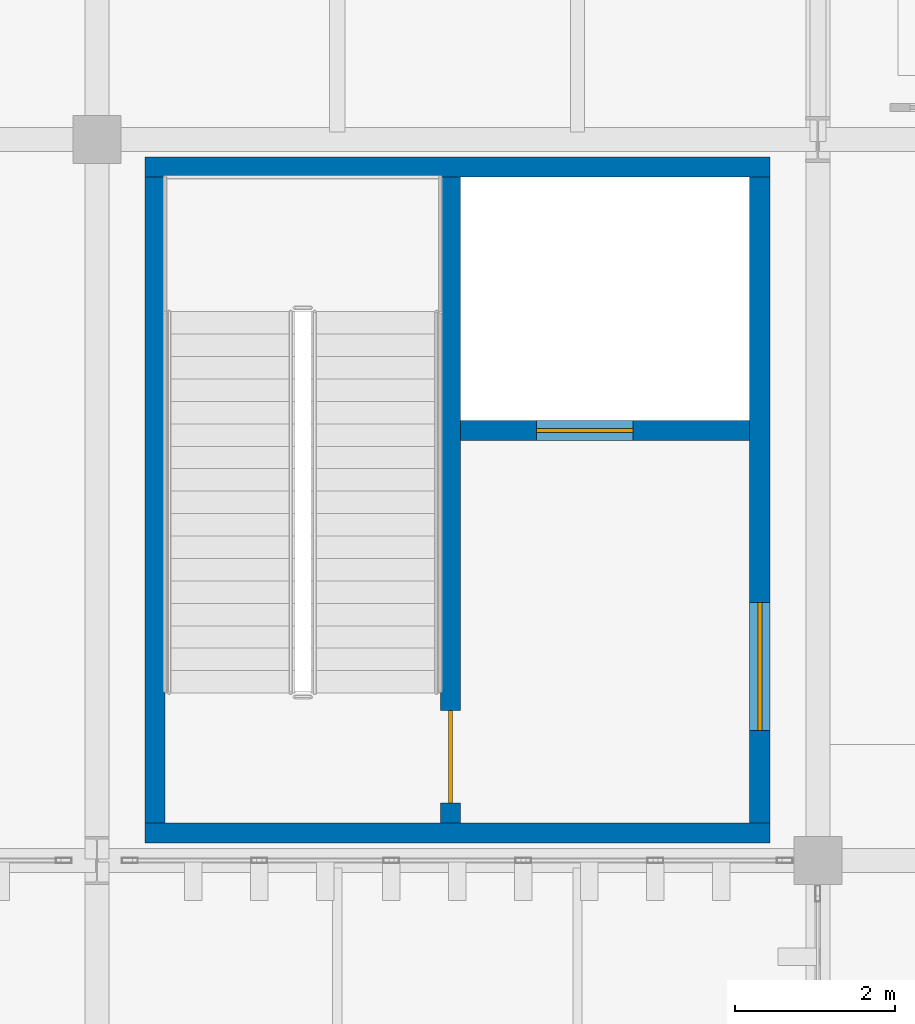
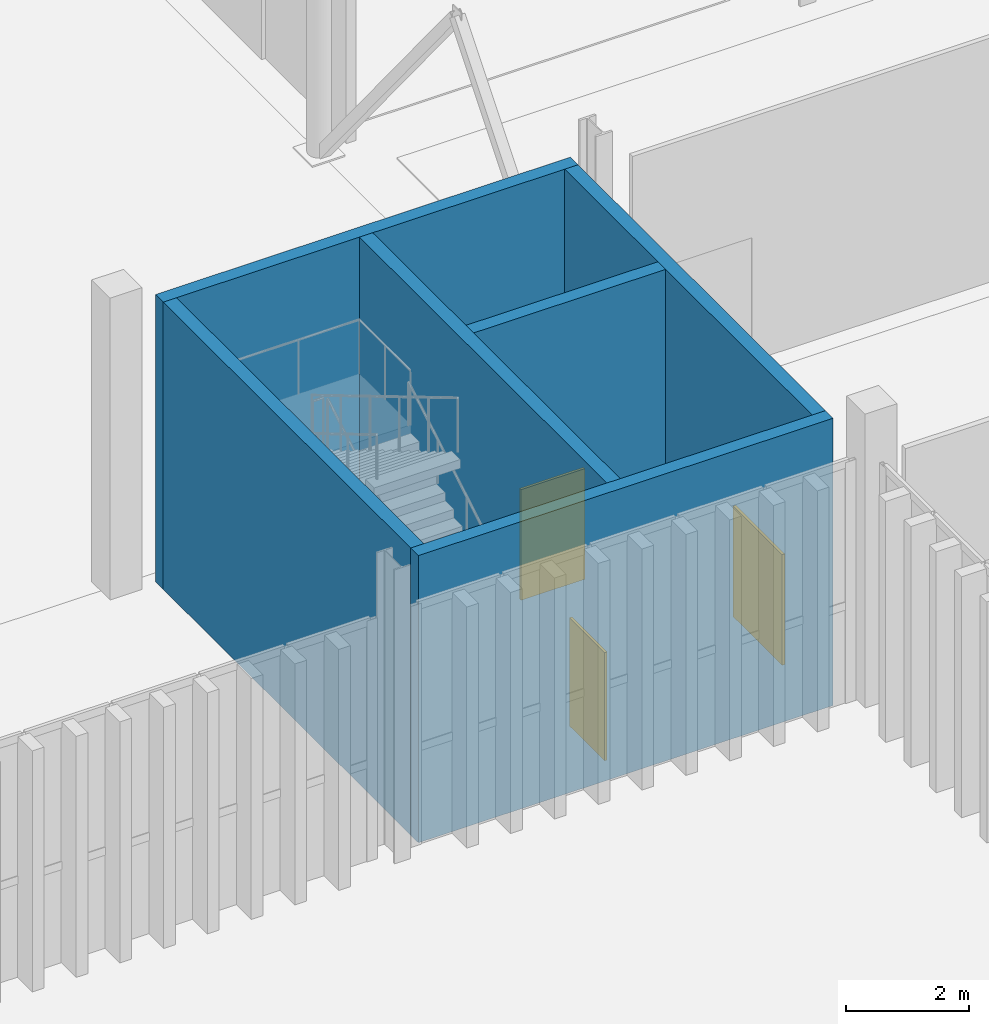
# One storey, part 177 of 211: 6 walls, 3 doors, 3 openings.
"""IFC4 building model written with IfcOpenShell, lengths in metres."""

from ifc_helpers import new_model, si_unit, direction, frame, frame_2d, origin, place, context, subcontext, project, spatial, rectangle, extrude, material, layer, layer_set, type_object, element, fill, save


model = new_model("IFC4")

# Units and contexts
model_context = context("Model", 3, precision=1e-05, world=origin(), true_north=direction((0.0, 1.0)))
body_context = subcontext(model_context, "Body", "Model", "MODEL_VIEW")
ifc_project = project(units=[si_unit("LENGTHUNIT", "METRE"), si_unit("AREAUNIT", "SQUARE_METRE"), si_unit("VOLUMEUNIT", "CUBIC_METRE"), si_unit("PLANEANGLEUNIT", "RADIAN"), si_unit("MASSUNIT", "GRAM", prefix="KILO")], contexts=[model_context])

# Site, building, storey
site_placement = place(None, origin())
site = spatial("IfcSite", under=ifc_project, at=site_placement, CompositionType="ELEMENT")
building_placement = place(site_placement, origin())
building = spatial("IfcBuilding", under=site, at=building_placement, Name="Barlavento Convention Centre", CompositionType="ELEMENT")
storey_placement = place(building_placement, frame((0.0, 0.0, 6.0)))
storey = spatial("IfcBuildingStorey", under=building, at=storey_placement, Name="L01", CompositionType="ELEMENT", Elevation=6.0)

# Wall
ifc_material_1 = material(Name="Concrete C50/60", Category="concrete")
ifc_layer = layer(ifc_material_1, 0.25)
ifc_layer_set = layer_set([ifc_layer], Name="STR-WL-CORE-250")
wall_type = type_object("IfcWallType", Name="STR-WL-CORE-250", PredefinedType="SHEAR", material=ifc_layer_set)
wall_1_placement = place(storey_placement, frame((117.72509765625, 45.469970703125, 0.0), z_axis=(0.0, 0.0, 1.0), x_axis=(0.0, 1.0, 0.0)))
element("IfcWall", 1, at=wall_1_placement, inside=storey, type_object=wall_type, Name="L01 interior wall CW-02", PredefinedType="SHEAR", context=body_context, shape_type="SweptSolid", body=[
    extrude(rectangle(XDim=8.06005859375, YDim=0.25, at=frame_2d((4.030029296875, 0.0))), origin(), (0.0, 0.0, 1.0), 5.7099609375),
])

# Wall, opening, door
wall_2_placement = place(storey_placement, frame((125.27490234375, 45.469970703125, 0.0), z_axis=(0.0, 0.0, 1.0), x_axis=(0.0, 1.0, 0.0)))
wall_2 = element("IfcWall", 2, at=wall_2_placement, inside=storey, type_object=wall_type, Name="L01 interior wall CW-02", PredefinedType="SHEAR", context=body_context, shape_type="SweptSolid", body=[
    extrude(rectangle(XDim=8.06005859375, YDim=0.25, at=frame_2d((4.030029296875, 0.0))), origin(), (0.0, 0.0, 1.0), 5.7099609375),
])
opening_1_placement = place(wall_2_placement, frame((1.14990234375, 0.0, 0.0)))
opening_1 = element("IfcOpeningElement", 3, at=opening_1_placement, cuts=wall_2, Name="Opening FD-02", PredefinedType="OPENING", context=body_context, shape_type="SweptSolid", body=[
    extrude(rectangle(XDim=1.60009765625, YDim=2.199951171875, at=frame_2d((0.800048828125, 1.10009765625))), frame((0.0, 0.135009765625, 0.0), z_axis=(0.0, -1.0, 0.0), x_axis=(1.0, 0.0, 0.0)), (0.0, 0.0, 1.0), 0.27001953125),
])
ifc_material_2 = material(Name="Painted galvanized steel", Category="steel")
door_type_1 = type_object("IfcDoorType", Name="ARC-DR-FIRE-1600X2200", OperationType="DOUBLE_DOOR_SINGLE_SWING", PredefinedType="DOOR", material=ifc_material_2)
door_1_placement = place(opening_1_placement, origin())
door_1 = element("IfcDoor", 4, at=door_1_placement, inside=storey, type_object=door_type_1, Name="DR-INT-L01-0048 L01 LP3 lobby fire door", OperationType="DOUBLE_DOOR_SINGLE_SWING", OverallHeight=2.199951171875, OverallWidth=1.60009765625, PredefinedType="DOOR", context=body_context, shape_type="SweptSolid", body=[
    extrude(rectangle(XDim=1.60009765625, YDim=2.199951171875, at=frame_2d((0.800048828125, 1.10009765625))), frame((0.0, 0.02490234375, 0.0), z_axis=(0.0, -1.0, 0.0), x_axis=(1.0, 0.0, 0.0)), (0.0, 0.0, 1.0), 0.050048828125),
])
fill(opening_1, door_1)

# Walls
for number, where, z_axis, x_axis, name in (
    (5, (117.60009765625, 45.344970703125, 0.0), (0.0, 0.0, 1.0), (1.0, 0.0, 0.0), "L01 interior wall CW-02"),
    (6, (117.60009765625, 53.655029296875, 0.0), (0.0, 0.0, 1.0), (1.0, 0.0, 0.0), "L01 interior wall CW-02"),
):
    element("IfcWall", number, at=place(storey_placement, frame(where, z_axis=z_axis, x_axis=x_axis)), inside=storey, type_object=wall_type, Name=name, PredefinedType="SHEAR", context=body_context, shape_type="SweptSolid", body=[
        extrude(rectangle(XDim=7.7998046875, YDim=0.25, at=frame_2d((3.89990234375, 0.0))), origin(), (0.0, 0.0, 1.0), 5.7099609375),
    ])

# Wall, opening, door
wall_3_placement = place(storey_placement, frame((121.4150390625, 45.469970703125, 0.0), z_axis=(0.0, 0.0, 1.0), x_axis=(0.0, 1.0, 0.0)))
wall_3 = element("IfcWall", 7, at=wall_3_placement, inside=storey, type_object=wall_type, Name="L01 interior wall CW-02", PredefinedType="SHEAR", context=body_context, shape_type="SweptSolid", body=[
    extrude(rectangle(XDim=8.06005859375, YDim=0.25, at=frame_2d((4.030029296875, 0.0))), origin(), (0.0, 0.0, 1.0), 5.7099609375),
])
opening_2_placement = place(wall_3_placement, frame((0.25, 0.0, 0.0)))
opening_2 = element("IfcOpeningElement", 8, at=opening_2_placement, cuts=wall_3, Name="Opening FD-03", PredefinedType="OPENING", context=body_context, shape_type="SweptSolid", body=[
    extrude(rectangle(XDim=1.14990234375, YDim=2.14990234375, at=frame_2d((0.574951171875, 1.074951171875))), frame((0.0, 0.135009765625, 0.0), z_axis=(0.0, -1.0, 0.0), x_axis=(1.0, 0.0, 0.0)), (0.0, 0.0, 1.0), 0.27001953125),
])
door_type_2 = type_object("IfcDoorType", Name="ARC-DR-FIRE-1150X2150", OperationType="NOTDEFINED", PredefinedType="DOOR", material=ifc_material_2)
door_2_placement = place(opening_2_placement, origin())
door_2 = element("IfcDoor", 9, at=door_2_placement, inside=storey, type_object=door_type_2, Name="DR-INT-L01-0046 L01 ST04 stair fire door FD-03", OperationType="SINGLE_SWING_RIGHT", OverallHeight=2.14990234375, OverallWidth=1.14990234375, PredefinedType="DOOR", context=body_context, shape_type="SweptSolid", body=[
    extrude(rectangle(XDim=1.14990234375, YDim=2.14990234375, at=frame_2d((0.574951171875, 1.074951171875))), frame((0.0, 0.02490234375, 0.0), z_axis=(0.0, -1.0, 0.0), x_axis=(1.0, 0.0, 0.0)), (0.0, 0.0, 1.0), 0.050048828125),
])
fill(opening_2, door_2)

wall_4_placement = place(storey_placement, frame((121.5400390625, 50.3701171875, 0.0), z_axis=(0.0, 0.0, 1.0), x_axis=(1.0, 0.0, 0.0)))
wall_4 = element("IfcWall", 10, at=wall_4_placement, inside=storey, type_object=wall_type, Name="L01 interior wall CW-02", PredefinedType="SHEAR", context=body_context, shape_type="SweptSolid", body=[
    extrude(rectangle(XDim=3.60986328125, YDim=0.25, at=frame_2d((1.804931640625, 0.0))), origin(), (0.0, 0.0, 1.0), 5.7099609375),
])
opening_3_placement = place(wall_4_placement, frame((0.949951171875, 0.0, 0.0)))
opening_3 = element("IfcOpeningElement", 11, at=opening_3_placement, cuts=wall_4, Name="Opening LD-01", PredefinedType="OPENING", context=body_context, shape_type="SweptSolid", body=[
    extrude(rectangle(XDim=1.199951171875, YDim=2.199951171875, at=frame_2d((0.60009765625, 1.10009765625))), frame((0.0, 0.135009765625, 0.0), z_axis=(0.0, -1.0, 0.0), x_axis=(1.0, 0.0, 0.0)), (0.0, 0.0, 1.0), 0.27001953125),
])
ifc_material_3 = material(Name="Brushed stainless steel", Category="steel")
door_type_3 = type_object("IfcDoorType", Name="ARC-DR-LIFT-1200X2200", OperationType="DOUBLE_DOOR_SLIDING", PredefinedType="DOOR", material=ifc_material_3)
door_3_placement = place(opening_3_placement, origin())
door_3 = element("IfcDoor", 12, at=door_3_placement, inside=storey, type_object=door_type_3, Name="DR-INT-L01-0047 LP3 lift sliding landing door", OperationType="DOUBLE_DOOR_SLIDING", OverallHeight=2.199951171875, OverallWidth=1.199951171875, PredefinedType="DOOR", context=body_context, shape_type="SweptSolid", body=[
    extrude(rectangle(XDim=1.199951171875, YDim=2.199951171875, at=frame_2d((0.60009765625, 1.10009765625))), frame((0.0, 0.02490234375, 0.0), z_axis=(0.0, -1.0, 0.0), x_axis=(1.0, 0.0, 0.0)), (0.0, 0.0, 1.0), 0.050048828125),
])
fill(opening_3, door_3)

save(model, "model.ifc")
